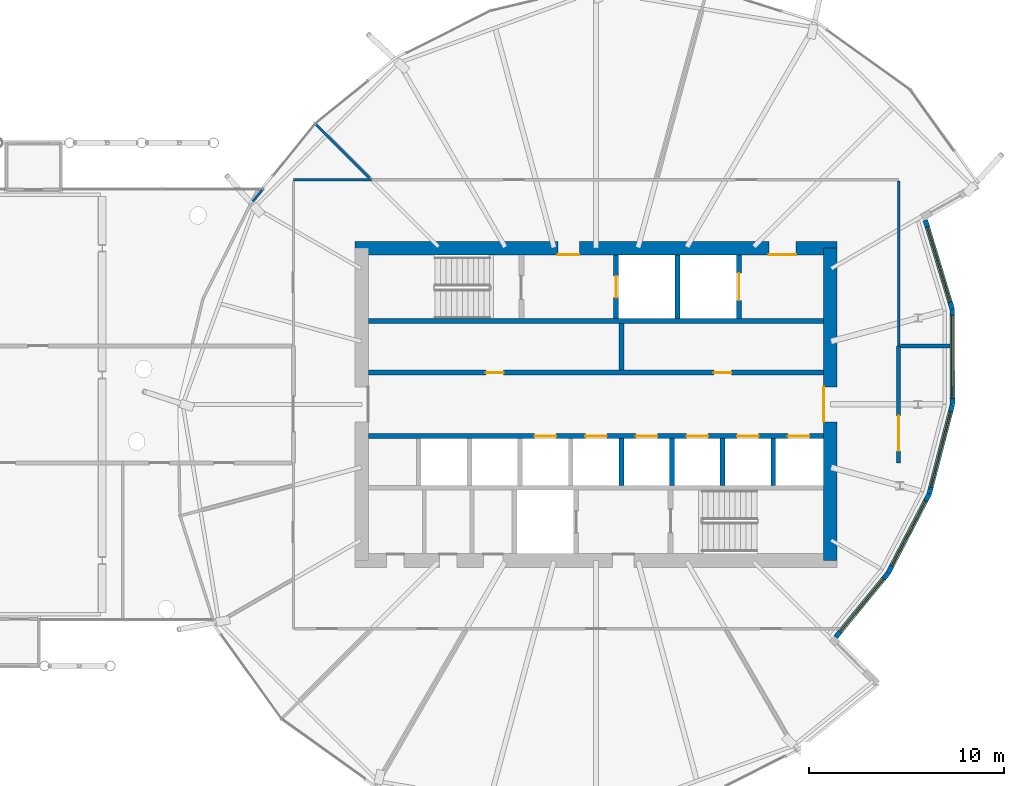
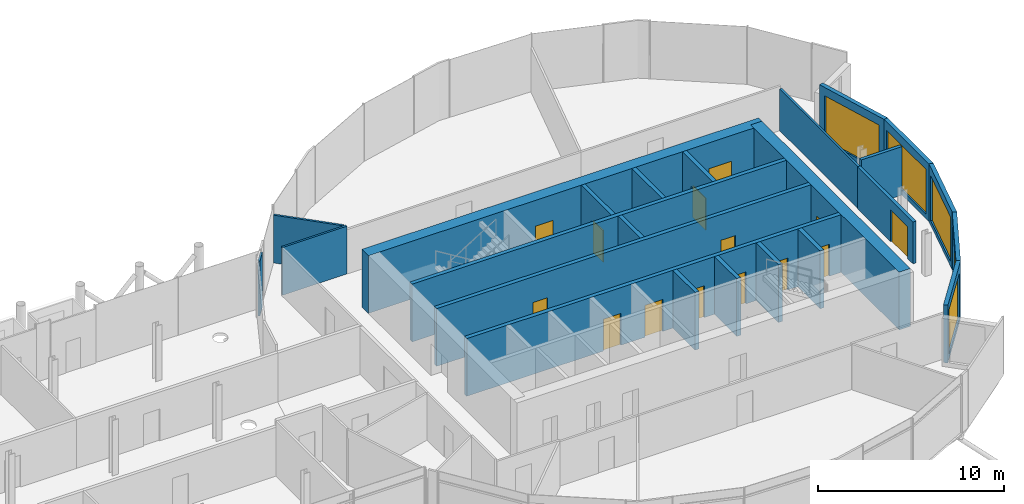
# One storey, part 28 of 40: 24 walls, 14 doors, 5 windows, 19 openings.
"""IFC4 building model written with IfcOpenShell, lengths in metres."""

from ifc_helpers import new_model, si_unit, direction, frame, frame_2d, origin, place, context, subcontext, project, spatial, rectangle, extrude, material, layer, layer_set, type_object, element, fill, save


model = new_model("IFC4")

# Units and contexts
model_context = context("Model", 3, precision=1e-05, world=origin(), true_north=direction((0.0, 1.0)))
body_context = subcontext(model_context, "Body", "Model", "MODEL_VIEW")
ifc_project = project(units=[si_unit("LENGTHUNIT", "METRE"), si_unit("AREAUNIT", "SQUARE_METRE"), si_unit("VOLUMEUNIT", "CUBIC_METRE"), si_unit("PLANEANGLEUNIT", "RADIAN"), si_unit("MASSUNIT", "GRAM", prefix="KILO")], contexts=[model_context])

# Site, building, storey
site_placement = place(None, origin())
site = spatial("IfcSite", under=ifc_project, at=site_placement, CompositionType="ELEMENT")
building_placement = place(site_placement, origin())
building = spatial("IfcBuilding", under=site, at=building_placement, Name="Rimbun Link Towers", CompositionType="ELEMENT")
storey_placement = place(building_placement, frame((0.0, 0.0, 150.60009765625)))
storey = spatial("IfcBuildingStorey", under=building, at=storey_placement, Name="L36", CompositionType="ELEMENT", Elevation=150.60009765625)

# Wall, opening, window
ifc_material_1 = material(Name="Dark enamelled glass spandrel on insulated aluminium backpan", Category="aluminium")
ifc_layer_1 = layer(ifc_material_1, 0.25)
ifc_layer_set_1 = layer_set([ifc_layer_1], Name="CS dark enamelled spandrel wall 250")
wall_type_1 = type_object("IfcWallType", Name="CS dark enamelled spandrel wall 250", PredefinedType="STANDARD", material=ifc_layer_set_1)
wall_1_placement = place(storey_placement, frame((46.711669921875, -8.646728515625, 0.0), z_axis=(0.0, 0.0, 1.0), x_axis=(-0.633071445917, -0.774093369281, 0.0)))
wall_1 = element("IfcWall", 1, at=wall_1_placement, inside=storey, type_object=wall_type_1, Name="Crease spandrel wall", PredefinedType="STANDARD", context=body_context, shape_type="SweptSolid", body=[
    extrude(rectangle(XDim=4.236328125, YDim=0.25, at=frame_2d((2.1181640625, 0.0))), origin(), (0.0, 0.0, 1.0), 3.7998046875),
])
opening_1_placement = place(wall_1_placement, frame((0.3681640625, 0.0, 0.300048828125)))
opening_1 = element("IfcOpeningElement", 2, at=opening_1_placement, cuts=wall_1, Name="Opening WR35H295", PredefinedType="OPENING", context=body_context, shape_type="SweptSolid", body=[
    extrude(rectangle(XDim=3.5, YDim=2.949951171875, at=frame_2d((1.75, 1.47509765625))), frame((0.0, 0.135009765625, 0.0), z_axis=(0.0, -1.0, 0.0), x_axis=(1.0, 0.0, 0.0)), (0.0, 0.0, 1.0), 0.27001953125),
])
ifc_material_2 = material(Name="Aluminium framed fixed window, dark tinted low-e glass", Category="aluminium")
window_type_1 = type_object("IfcWindowType", Name="WR ribbon window 3500X2950", PartitioningType="SINGLE_PANEL", PredefinedType="WINDOW", material=ifc_material_2)
window_1_placement = place(opening_1_placement, origin())
window_1 = element("IfcWindow", 3, at=window_1_placement, inside=storey, type_object=window_type_1, Name="Crease ribbon window", OverallHeight=2.949951171875, OverallWidth=3.5, PartitioningType="SINGLE_PANEL", PredefinedType="WINDOW", context=body_context, shape_type="SweptSolid", body=[
    extrude(rectangle(XDim=3.5, YDim=2.949951171875, at=frame_2d((1.75, 1.47509765625))), frame((0.0, 0.030029296875, 0.0), z_axis=(0.0, -1.0, 0.0), x_axis=(1.0, 0.0, 0.0)), (0.0, 0.0, 1.0), 0.06005859375),
])
fill(opening_1, window_1)

wall_2_placement = place(storey_placement, frame((48.820556640625, -4.587646484375, 0.0), z_axis=(0.0, 0.0, 1.0), x_axis=(-0.46103677095, -0.887381031931, 0.0)))
wall_2 = element("IfcWall", 4, at=wall_2_placement, inside=storey, type_object=wall_type_1, Name="Crease spandrel wall", PredefinedType="STANDARD", context=body_context, shape_type="SweptSolid", body=[
    extrude(rectangle(XDim=4.57421875, YDim=0.25, at=frame_2d((2.287109375, 0.0))), origin(), (0.0, 0.0, 1.0), 3.7998046875),
])
opening_2_placement = place(wall_2_placement, frame((0.412109375, 0.0, 0.300048828125)))
opening_2 = element("IfcOpeningElement", 5, at=opening_2_placement, cuts=wall_2, Name="Opening WR38H295", PredefinedType="OPENING", context=body_context, shape_type="SweptSolid", body=[
    extrude(rectangle(XDim=3.75, YDim=2.949951171875, at=frame_2d((1.875, 1.47509765625))), frame((0.0, 0.135009765625, 0.0), z_axis=(0.0, -1.0, 0.0), x_axis=(1.0, 0.0, 0.0)), (0.0, 0.0, 1.0), 0.27001953125),
])
ifc_material_3 = material(Name="Aluminium framed fixed window, dark tinted low-e glass", Category="aluminium")
window_type_2 = type_object("IfcWindowType", Name="WR ribbon window 3750X2950", PartitioningType="SINGLE_PANEL", PredefinedType="WINDOW", material=ifc_material_3)
window_2_placement = place(opening_2_placement, origin())
window_2 = element("IfcWindow", 6, at=window_2_placement, inside=storey, type_object=window_type_2, Name="Crease ribbon window", OverallHeight=2.949951171875, OverallWidth=3.75, PartitioningType="SINGLE_PANEL", PredefinedType="WINDOW", context=body_context, shape_type="SweptSolid", body=[
    extrude(rectangle(XDim=3.75, YDim=2.949951171875, at=frame_2d((1.875, 1.47509765625))), frame((0.0, 0.030029296875, 0.0), z_axis=(0.0, -1.0, 0.0), x_axis=(1.0, 0.0, 0.0)), (0.0, 0.0, 1.0), 0.06005859375),
])
fill(opening_2, window_2)

wall_3_placement = place(storey_placement, frame((50.00634765625, -0.015869140625, 0.0), z_axis=(0.0, 0.0, 1.0), x_axis=(-0.251064410387, -0.967970382727, 0.0)))
wall_3 = element("IfcWall", 7, at=wall_3_placement, inside=storey, type_object=wall_type_1, Name="Crease spandrel wall", PredefinedType="STANDARD", context=body_context, shape_type="SweptSolid", body=[
    extrude(rectangle(XDim=4.72314453125, YDim=0.25, at=frame_2d((2.361572265625, 0.0))), origin(), (0.0, 0.0, 1.0), 3.7998046875),
])
opening_3_placement = place(wall_3_placement, frame((0.361572265625, 0.0, 0.300048828125)))
opening_3 = element("IfcOpeningElement", 8, at=opening_3_placement, cuts=wall_3, Name="Opening WR40H295", PredefinedType="OPENING", context=body_context, shape_type="SweptSolid", body=[
    extrude(rectangle(XDim=4.0, YDim=2.949951171875, at=frame_2d((2.0, 1.47509765625))), frame((0.0, 0.135009765625, 0.0), z_axis=(0.0, -1.0, 0.0), x_axis=(1.0, 0.0, 0.0)), (0.0, 0.0, 1.0), 0.27001953125),
])
ifc_material_4 = material(Name="Aluminium framed fixed window, dark tinted low-e glass", Category="aluminium")
window_type_3 = type_object("IfcWindowType", Name="WR ribbon window 4000X2950", PartitioningType="SINGLE_PANEL", PredefinedType="WINDOW", material=ifc_material_4)
window_3_placement = place(opening_3_placement, origin())
window_3 = element("IfcWindow", 9, at=window_3_placement, inside=storey, type_object=window_type_3, Name="Crease ribbon window", OverallHeight=2.949951171875, OverallWidth=4.0, PartitioningType="SINGLE_PANEL", PredefinedType="WINDOW", context=body_context, shape_type="SweptSolid", body=[
    extrude(rectangle(XDim=4.0, YDim=2.949951171875, at=frame_2d((2.0, 1.47509765625))), frame((0.0, 0.030029296875, 0.0), z_axis=(0.0, -1.0, 0.0), x_axis=(1.0, 0.0, 0.0)), (0.0, 0.0, 1.0), 0.06005859375),
])
fill(opening_3, window_3)

wall_4_placement = place(storey_placement, frame((49.998291015625, 4.874755859375, 0.0), z_axis=(0.0, 0.0, 1.0), x_axis=(0.001647361982, -0.999998643098, 0.0)))
wall_4 = element("IfcWall", 10, at=wall_4_placement, inside=storey, type_object=wall_type_1, Name="Crease spandrel wall", PredefinedType="STANDARD", context=body_context, shape_type="SweptSolid", body=[
    extrude(rectangle(XDim=4.890625, YDim=0.25, at=frame_2d((2.4453125, 0.0))), origin(), (0.0, 0.0, 1.0), 3.7998046875),
])
opening_4_placement = place(wall_4_placement, frame((0.3203125, 0.0, 0.300048828125)))
opening_4 = element("IfcOpeningElement", 11, at=opening_4_placement, cuts=wall_4, Name="Opening WR42H295", PredefinedType="OPENING", context=body_context, shape_type="SweptSolid", body=[
    extrude(rectangle(XDim=4.25, YDim=2.949951171875, at=frame_2d((2.125, 1.47509765625))), frame((0.0, 0.135009765625, 0.0), z_axis=(0.0, -1.0, 0.0), x_axis=(1.0, 0.0, 0.0)), (0.0, 0.0, 1.0), 0.27001953125),
])
ifc_material_5 = material(Name="Aluminium framed fixed window, dark tinted low-e glass", Category="aluminium")
window_type_4 = type_object("IfcWindowType", Name="WR ribbon window 4250X2950", PartitioningType="SINGLE_PANEL", PredefinedType="WINDOW", material=ifc_material_5)
window_4_placement = place(opening_4_placement, origin())
window_4 = element("IfcWindow", 12, at=window_4_placement, inside=storey, type_object=window_type_4, Name="Crease ribbon window", OverallHeight=2.949951171875, OverallWidth=4.25, PartitioningType="SINGLE_PANEL", PredefinedType="WINDOW", context=body_context, shape_type="SweptSolid", body=[
    extrude(rectangle(XDim=4.25, YDim=2.949951171875, at=frame_2d((2.125, 1.47509765625))), frame((0.0, 0.030029296875, 0.0), z_axis=(0.0, -1.0, 0.0), x_axis=(1.0, 0.0, 0.0)), (0.0, 0.0, 1.0), 0.06005859375),
])
fill(opening_4, window_4)

wall_5_placement = place(storey_placement, frame((48.616943359375, 9.449462890625, 0.0), z_axis=(0.0, 0.0, 1.0), x_axis=(0.289062898136, -0.957310106977, 0.0)))
wall_5 = element("IfcWall", 13, at=wall_5_placement, inside=storey, type_object=wall_type_1, Name="Crease spandrel wall", PredefinedType="STANDARD", context=body_context, shape_type="SweptSolid", body=[
    extrude(rectangle(XDim=4.77880859375, YDim=0.25, at=frame_2d((2.389404296875, 0.0))), origin(), (0.0, 0.0, 1.0), 3.7998046875),
])
opening_5_placement = place(wall_5_placement, frame((0.389404296875, 0.0, 0.300048828125)))
opening_5 = element("IfcOpeningElement", 14, at=opening_5_placement, cuts=wall_5, Name="Opening WR40H295", PredefinedType="OPENING", context=body_context, shape_type="SweptSolid", body=[
    extrude(rectangle(XDim=4.0, YDim=2.949951171875, at=frame_2d((2.0, 1.47509765625))), frame((0.0, 0.135009765625, 0.0), z_axis=(0.0, -1.0, 0.0), x_axis=(1.0, 0.0, 0.0)), (0.0, 0.0, 1.0), 0.27001953125),
])
window_5_placement = place(opening_5_placement, origin())
window_5 = element("IfcWindow", 15, at=window_5_placement, inside=storey, type_object=window_type_3, Name="Crease ribbon window", OverallHeight=2.949951171875, OverallWidth=4.0, PartitioningType="SINGLE_PANEL", PredefinedType="WINDOW", context=body_context, shape_type="SweptSolid", body=[
    extrude(rectangle(XDim=4.0, YDim=2.949951171875, at=frame_2d((2.0, 1.47509765625))), frame((0.0, 0.030029296875, 0.0), z_axis=(0.0, -1.0, 0.0), x_axis=(1.0, 0.0, 0.0)), (0.0, 0.0, 1.0), 0.06005859375),
])
fill(opening_5, window_5)

# Wall, openings, doors
ifc_material_6 = material(Name="Concrete C60/75", Category="concrete")
ifc_layer_2 = layer(ifc_material_6, 0.699951171875)
ifc_layer_set_2 = layer_set([ifc_layer_2], Name="Core shear wall 700")
wall_type_2 = type_object("IfcWallType", Name="Core shear wall 700", PredefinedType="SHEAR", material=ifc_layer_set_2)
wall_6_placement = place(storey_placement, frame((19.39990234375, 8.0, 0.0), z_axis=(0.0, 0.0, 1.0), x_axis=(1.0, 0.0, 0.0)))
wall_6 = element("IfcWall", 16, at=wall_6_placement, inside=storey, type_object=wall_type_2, Name="L36 T2 core wall N", PredefinedType="SHEAR", context=body_context, shape_type="SweptSolid", body=[
    extrude(rectangle(XDim=24.7001953125, YDim=0.699951171875, at=frame_2d((12.35009765625, 0.0))), origin(), (0.0, 0.0, 1.0), 3.7998046875),
])
opening_6_placement = place(wall_6_placement, frame((10.39990234375, 0.0, 0.0)))
opening_6 = element("IfcOpeningElement", 17, at=opening_6_placement, cuts=wall_6, Name="Opening C2DCF01N", PredefinedType="OPENING", context=body_context, shape_type="SweptSolid", body=[
    extrude(rectangle(XDim=1.10009765625, YDim=2.10009765625, at=frame_2d((0.550048828125, 1.050048828125))), frame((0.0, 0.35986328125, 0.0), z_axis=(0.0, -1.0, 0.0), x_axis=(1.0, 0.0, 0.0)), (0.0, 0.0, 1.0), 0.719970703125),
])
opening_7_placement = place(wall_6_placement, frame((21.199951171875, 0.0, 0.0)))
opening_7 = element("IfcOpeningElement", 18, at=opening_7_placement, cuts=wall_6, Name="Opening C2DSL02N", PredefinedType="OPENING", context=body_context, shape_type="SweptSolid", body=[
    extrude(rectangle(XDim=1.39990234375, YDim=2.10009765625, at=frame_2d((0.699951171875, 1.050048828125))), frame((0.0, 0.35986328125, 0.0), z_axis=(0.0, -1.0, 0.0), x_axis=(1.0, 0.0, 0.0)), (0.0, 0.0, 1.0), 0.719970703125),
])
ifc_material_7 = material(Name="Steel fire door set", Category="steel")
door_type_1 = type_object("IfcDoorType", Name="Core fire door single", OperationType="SINGLE_SWING_LEFT", PredefinedType="DOOR", material=ifc_material_7)
door_1_placement = place(opening_6_placement, origin())
door_1 = element("IfcDoor", 19, at=door_1_placement, inside=storey, type_object=door_type_1, Name="L36 T2 firefighting lobby n door", OperationType="SINGLE_SWING_LEFT", OverallHeight=2.10009765625, OverallWidth=1.10009765625, PredefinedType="DOOR", context=body_context, shape_type="SweptSolid", body=[
    extrude(rectangle(XDim=1.10009765625, YDim=2.10009765625, at=frame_2d((0.550048828125, 1.050048828125))), frame((0.0, -0.2998046875, 0.0), z_axis=(0.0, -1.0, 0.0), x_axis=(1.0, 0.0, 0.0)), (0.0, 0.0, 1.0), 0.050048828125),
])
fill(opening_6, door_1)
ifc_material_8 = material(Name="Steel fire door set", Category="steel")
door_type_2 = type_object("IfcDoorType", Name="Service lobby door double", OperationType="DOUBLE_DOOR_SINGLE_SWING", PredefinedType="DOOR", material=ifc_material_8)
door_2_placement = place(opening_7_placement, origin())
door_2 = element("IfcDoor", 20, at=door_2_placement, inside=storey, type_object=door_type_2, Name="L36 T2 service lobby door", OperationType="DOUBLE_DOOR_SINGLE_SWING", OverallHeight=2.10009765625, OverallWidth=1.39990234375, PredefinedType="DOOR", context=body_context, shape_type="SweptSolid", body=[
    extrude(rectangle(XDim=1.39990234375, YDim=2.10009765625, at=frame_2d((0.699951171875, 1.050048828125))), frame((0.0, -0.2998046875, 0.0), z_axis=(0.0, -1.0, 0.0), x_axis=(1.0, 0.0, 0.0)), (0.0, 0.0, 1.0), 0.050048828125),
])
fill(opening_7, door_2)

# Wall, opening, door
wall_7_placement = place(storey_placement, frame((43.75, -8.0, 0.0), z_axis=(0.0, 0.0, 1.0), x_axis=(0.0, 1.0, 0.0)))
wall_7 = element("IfcWall", 21, at=wall_7_placement, inside=storey, type_object=wall_type_2, Name="L36 T2 core wall E", PredefinedType="SHEAR", context=body_context, shape_type="SweptSolid", body=[
    extrude(rectangle(XDim=16.0, YDim=0.699951171875, at=frame_2d((8.0, 0.0))), origin(), (0.0, 0.0, 1.0), 3.7998046875),
])
opening_8_placement = place(wall_7_placement, frame((7.10009765625, 0.0, 0.0)))
opening_8 = element("IfcOpeningElement", 22, at=opening_8_placement, cuts=wall_7, Name="Opening C2DCL01E", PredefinedType="OPENING", context=body_context, shape_type="SweptSolid", body=[
    extrude(rectangle(XDim=1.800048828125, YDim=2.10009765625, at=frame_2d((0.89990234375, 1.050048828125))), frame((0.0, 0.35986328125, 0.0), z_axis=(0.0, -1.0, 0.0), x_axis=(1.0, 0.0, 0.0)), (0.0, 0.0, 1.0), 0.719970703125),
])
ifc_material_9 = material(Name="Steel fire door set", Category="steel")
door_type_3 = type_object("IfcDoorType", Name="Core lobby door double", OperationType="DOUBLE_DOOR_SINGLE_SWING", PredefinedType="DOOR", material=ifc_material_9)
door_3_placement = place(opening_8_placement, origin())
door_3 = element("IfcDoor", 23, at=door_3_placement, inside=storey, type_object=door_type_3, Name="L36 T2 lift lobby door", OperationType="DOUBLE_DOOR_SINGLE_SWING", OverallHeight=2.10009765625, OverallWidth=1.800048828125, PredefinedType="DOOR", context=body_context, shape_type="SweptSolid", body=[
    extrude(rectangle(XDim=1.800048828125, YDim=2.10009765625, at=frame_2d((0.89990234375, 1.050048828125))), frame((0.0, 0.35009765625, 0.0), z_axis=(0.0, -1.0, 0.0), x_axis=(1.0, 0.0, 0.0)), (0.0, 0.0, 1.0), 0.050048828125),
])
fill(opening_8, door_3)

ifc_material_10 = material(Name="Concrete blockwork", Category="masonry")
ifc_layer_3 = layer(ifc_material_10, 0.199951171875)
ifc_layer_set_3 = layer_set([ifc_layer_3], Name="Fire partition 200 blockwork")
wall_type_3 = type_object("IfcWallType", Name="Fire partition 200 blockwork", PredefinedType="PARTITIONING", material=ifc_layer_set_3)
wall_8_placement = place(storey_placement, frame((47.25, -3.0, 0.0), z_axis=(0.0, 0.0, 1.0), x_axis=(0.0, 1.0, 0.0)))
wall_8 = element("IfcWall", 24, at=wall_8_placement, inside=storey, type_object=wall_type_3, Name="TW/PW/L36/036", PredefinedType="PARTITIONING", context=body_context, shape_type="SweptSolid", body=[
    extrude(rectangle(XDim=6.0, YDim=0.199951171875, at=frame_2d((3.0, 0.0))), origin(), (0.0, 0.0, 1.0), 2.7587890625),
])
opening_9_placement = place(wall_8_placement, frame((0.614990234375, 0.0, 0.0)))
opening_9 = element("IfcOpeningElement", 25, at=opening_9_placement, cuts=wall_8, Name="Opening TW D36.26", PredefinedType="OPENING", context=body_context, shape_type="SweptSolid", body=[
    extrude(rectangle(XDim=1.800048828125, YDim=2.10009765625, at=frame_2d((0.89990234375, 1.050048828125))), frame((0.0, 0.10986328125, 0.0), z_axis=(0.0, -1.0, 0.0), x_axis=(1.0, 0.0, 0.0)), (0.0, 0.0, 1.0), 0.219970703125),
])
ifc_material_11 = material(Name="Steel fire door set", Category="steel")
door_type_4 = type_object("IfcDoorType", Name="Fire door double leaf 1800 x 2100", OperationType="NOTDEFINED", PredefinedType="DOOR", material=ifc_material_11)
door_4_placement = place(opening_9_placement, origin())
door_4 = element("IfcDoor", 26, at=door_4_placement, inside=storey, type_object=door_type_4, Name="TW/DR/L36/026", OperationType="DOUBLE_DOOR_SINGLE_SWING", OverallHeight=2.10009765625, OverallWidth=1.800048828125, PredefinedType="DOOR", context=body_context, shape_type="SweptSolid", body=[
    extrude(rectangle(XDim=1.800048828125, YDim=2.10009765625, at=frame_2d((0.89990234375, 1.050048828125))), frame((0.0, 0.02490234375, 0.0), z_axis=(0.0, -1.0, 0.0), x_axis=(1.0, 0.0, 0.0)), (0.0, 0.0, 1.0), 0.050048828125),
])
fill(opening_9, door_4)

# Walls
wall_9_placement = place(storey_placement, frame((49.87646484375, 3.0, 0.0), z_axis=(0.0, 0.0, 1.0), x_axis=(-1.0, 0.0, 0.0)))
element("IfcWall", 27, at=wall_9_placement, inside=storey, type_object=wall_type_3, Name="TW/PW/L36/050", PredefinedType="PARTITIONING", context=body_context, shape_type="SweptSolid", body=[
    extrude(rectangle(XDim=2.5263671875, YDim=0.199951171875, at=frame_2d((1.26318359375, 0.0))), origin(), (0.0, 0.0, 1.0), 3.19384765625),
])
ifc_material_12 = material(Name="Gypsum board on steel studs", Category="steel")
ifc_layer_4 = layer(ifc_material_12, 0.125)
ifc_layer_set_4 = layer_set([ifc_layer_4], Name="Partition 125 board on studs")
wall_type_4 = type_object("IfcWallType", Name="Partition 125 board on studs", PredefinedType="PARTITIONING", material=ifc_layer_set_4)
wall_10_placement = place(storey_placement, frame((47.25, 3.0, 0.0), z_axis=(0.0, 0.0, 1.0), x_axis=(0.0, 1.0, 0.0)))
element("IfcWall", 28, at=wall_10_placement, inside=storey, type_object=wall_type_4, Name="TW/PW/L36/045", PredefinedType="PARTITIONING", context=body_context, shape_type="SweptSolid", body=[
    extrude(rectangle(XDim=8.4375, YDim=0.125, at=frame_2d((4.21875, 0.0))), origin(), (0.0, 0.0, 1.0), 2.7587890625),
])
wall_11_placement = place(storey_placement, frame((20.25, 11.5, 0.0), z_axis=(0.0, 0.0, 1.0), x_axis=(-1.0, 0.0, 0.0)))
element("IfcWall", 29, at=wall_11_placement, inside=storey, type_object=wall_type_4, Name="TW/PW/L36/048", PredefinedType="PARTITIONING", context=body_context, shape_type="SweptSolid", body=[
    extrude(rectangle(XDim=4.0, YDim=0.125, at=frame_2d((2.0, 0.0))), origin(), (0.0, 0.0, 1.0), 3.14697265625),
])
wall_12_placement = place(storey_placement, frame((17.384765625, 14.365234375, 0.0), z_axis=(0.0, 0.0, 1.0), x_axis=(0.707106781187, -0.707106781187, 0.0)))
element("IfcWall", 30, at=wall_12_placement, inside=storey, type_object=wall_type_4, Name="TW/PW/L36/060", PredefinedType="PARTITIONING", context=body_context, shape_type="SweptSolid", body=[
    extrude(rectangle(XDim=3.901123046875, YDim=0.125, at=frame_2d((1.95068359375, 0.0))), origin(), (0.0, 0.0, 1.0), 3.14697265625),
])
wall_13_placement = place(storey_placement, frame((14.7109375, 11.062255859375, 0.0), z_axis=(0.0, 0.0, 1.0), x_axis=(-0.629018324311, -0.777390473109, 0.0)))
element("IfcWall", 31, at=wall_13_placement, inside=storey, type_object=wall_type_4, Name="TW/PW/L36/062", PredefinedType="PARTITIONING", context=body_context, shape_type="SweptSolid", body=[
    extrude(rectangle(XDim=0.85888671875, YDim=0.125, at=frame_2d((0.429443359375, 0.0))), origin(), (0.0, 0.0, 1.0), 3.619873046875),
])
ifc_material_13 = material(Name="Concrete C60/75", Category="concrete")
ifc_layer_5 = layer(ifc_material_13, 0.25)
ifc_layer_set_5 = layer_set([ifc_layer_5], Name="Shaft wall 250")
wall_type_5 = type_object("IfcWallType", Name="Shaft wall 250", PredefinedType="SHEAR", material=ifc_layer_set_5)
wall_14_placement = place(storey_placement, frame((20.10009765625, 4.27490234375, 0.0), z_axis=(0.0, 0.0, 1.0), x_axis=(1.0, 0.0, 0.0)))
element("IfcWall", 32, at=wall_14_placement, inside=storey, type_object=wall_type_5, Name="L36 T2 core wall BN", PredefinedType="SHEAR", context=body_context, shape_type="SweptSolid", body=[
    extrude(rectangle(XDim=23.2998046875, YDim=0.25, at=frame_2d((11.64990234375, 0.0))), origin(), (0.0, 0.0, 1.0), 3.7998046875),
])

# Wall, openings, doors
wall_15_placement = place(storey_placement, frame((20.10009765625, 1.625, 0.0), z_axis=(0.0, 0.0, 1.0), x_axis=(1.0, 0.0, 0.0)))
wall_15 = element("IfcWall", 33, at=wall_15_placement, inside=storey, type_object=wall_type_5, Name="L36 T2 core wall FN", PredefinedType="SHEAR", context=body_context, shape_type="SweptSolid", body=[
    extrude(rectangle(XDim=23.2998046875, YDim=0.25, at=frame_2d((11.64990234375, 0.0))), origin(), (0.0, 0.0, 1.0), 3.7998046875),
])
opening_10_placement = place(wall_15_placement, frame((6.010986328125, 0.0, 0.0)))
opening_10 = element("IfcOpeningElement", 34, at=opening_10_placement, cuts=wall_15, Name="Opening C2DRS01FN", PredefinedType="OPENING", context=body_context, shape_type="SweptSolid", body=[
    extrude(rectangle(XDim=0.89990234375, YDim=2.10009765625, at=frame_2d((0.449951171875, 1.050048828125))), frame((0.0, 0.135009765625, 0.0), z_axis=(0.0, -1.0, 0.0), x_axis=(1.0, 0.0, 0.0)), (0.0, 0.0, 1.0), 0.27001953125),
])
opening_11_placement = place(wall_15_placement, frame((17.68603515625, 0.0, 0.0)))
opening_11 = element("IfcOpeningElement", 35, at=opening_11_placement, cuts=wall_15, Name="Opening C2DRS02FN", PredefinedType="OPENING", context=body_context, shape_type="SweptSolid", body=[
    extrude(rectangle(XDim=0.89990234375, YDim=2.10009765625, at=frame_2d((0.449951171875, 1.050048828125))), frame((0.0, 0.135009765625, 0.0), z_axis=(0.0, -1.0, 0.0), x_axis=(1.0, 0.0, 0.0)), (0.0, 0.0, 1.0), 0.27001953125),
])
ifc_material_14 = material(Name="Steel fire door set", Category="steel")
door_type_5 = type_object("IfcDoorType", Name="Core riser door", OperationType="SINGLE_SWING_LEFT", PredefinedType="DOOR", material=ifc_material_14)
door_5_placement = place(opening_10_placement, origin())
door_5 = element("IfcDoor", 36, at=door_5_placement, inside=storey, type_object=door_type_5, Name="L36 T2 data room door", OperationType="SINGLE_SWING_LEFT", OverallHeight=2.10009765625, OverallWidth=0.89990234375, PredefinedType="DOOR", context=body_context, shape_type="SweptSolid", body=[
    extrude(rectangle(XDim=0.89990234375, YDim=2.10009765625, at=frame_2d((0.449951171875, 1.050048828125))), frame((0.0, 0.02490234375, 0.0), z_axis=(0.0, -1.0, 0.0), x_axis=(1.0, 0.0, 0.0)), (0.0, 0.0, 1.0), 0.050048828125),
])
fill(opening_10, door_5)
door_6_placement = place(opening_11_placement, origin())
door_6 = element("IfcDoor", 37, at=door_6_placement, inside=storey, type_object=door_type_5, Name="L36 T2 meeting room door", OperationType="SINGLE_SWING_LEFT", OverallHeight=2.10009765625, OverallWidth=0.89990234375, PredefinedType="DOOR", context=body_context, shape_type="SweptSolid", body=[
    extrude(rectangle(XDim=0.89990234375, YDim=2.10009765625, at=frame_2d((0.449951171875, 1.050048828125))), frame((0.0, 0.02490234375, 0.0), z_axis=(0.0, -1.0, 0.0), x_axis=(1.0, 0.0, 0.0)), (0.0, 0.0, 1.0), 0.050048828125),
])
fill(opening_11, door_6)

wall_16_placement = place(storey_placement, frame((20.10009765625, -1.625, 0.0), z_axis=(0.0, 0.0, 1.0), x_axis=(1.0, 0.0, 0.0)))
wall_16 = element("IfcWall", 38, at=wall_16_placement, inside=storey, type_object=wall_type_5, Name="L36 T2 core wall FS", PredefinedType="SHEAR", context=body_context, shape_type="SweptSolid", body=[
    extrude(rectangle(XDim=23.2998046875, YDim=0.25, at=frame_2d((11.64990234375, 0.0))), origin(), (0.0, 0.0, 1.0), 3.7998046875),
])
opening_12_placement = place(wall_16_placement, frame((8.505615234375, 0.0, 0.0)))
opening_12 = element("IfcOpeningElement", 39, at=opening_12_placement, cuts=wall_16, Name="Opening LD-T2-HR1", PredefinedType="OPENING", context=body_context, shape_type="SweptSolid", body=[
    extrude(rectangle(XDim=1.10009765625, YDim=2.10009765625, at=frame_2d((0.550048828125, 1.050048828125))), frame((0.0, 0.135009765625, 0.0), z_axis=(0.0, -1.0, 0.0), x_axis=(1.0, 0.0, 0.0)), (0.0, 0.0, 1.0), 0.27001953125),
])
opening_13_placement = place(wall_16_placement, frame((11.10009765625, 0.0, 0.0)))
opening_13 = element("IfcOpeningElement", 40, at=opening_13_placement, cuts=wall_16, Name="Opening LD-T2-HR2", PredefinedType="OPENING", context=body_context, shape_type="SweptSolid", body=[
    extrude(rectangle(XDim=1.10009765625, YDim=2.10009765625, at=frame_2d((0.550048828125, 1.050048828125))), frame((0.0, 0.135009765625, 0.0), z_axis=(0.0, -1.0, 0.0), x_axis=(1.0, 0.0, 0.0)), (0.0, 0.0, 1.0), 0.27001953125),
])
opening_14_placement = place(wall_16_placement, frame((13.6943359375, 0.0, 0.0)))
opening_14 = element("IfcOpeningElement", 41, at=opening_14_placement, cuts=wall_16, Name="Opening LD-T2-HR3", PredefinedType="OPENING", context=body_context, shape_type="SweptSolid", body=[
    extrude(rectangle(XDim=1.10009765625, YDim=2.10009765625, at=frame_2d((0.550048828125, 1.050048828125))), frame((0.0, 0.135009765625, 0.0), z_axis=(0.0, -1.0, 0.0), x_axis=(1.0, 0.0, 0.0)), (0.0, 0.0, 1.0), 0.27001953125),
])
opening_15_placement = place(wall_16_placement, frame((16.288818359375, 0.0, 0.0)))
opening_15 = element("IfcOpeningElement", 42, at=opening_15_placement, cuts=wall_16, Name="Opening LD-T2-HR4", PredefinedType="OPENING", context=body_context, shape_type="SweptSolid", body=[
    extrude(rectangle(XDim=1.10009765625, YDim=2.10009765625, at=frame_2d((0.550048828125, 1.050048828125))), frame((0.0, 0.135009765625, 0.0), z_axis=(0.0, -1.0, 0.0), x_axis=(1.0, 0.0, 0.0)), (0.0, 0.0, 1.0), 0.27001953125),
])
opening_16_placement = place(wall_16_placement, frame((18.88330078125, 0.0, 0.0)))
opening_16 = element("IfcOpeningElement", 43, at=opening_16_placement, cuts=wall_16, Name="Opening LD-T2-HR5", PredefinedType="OPENING", context=body_context, shape_type="SweptSolid", body=[
    extrude(rectangle(XDim=1.10009765625, YDim=2.10009765625, at=frame_2d((0.550048828125, 1.050048828125))), frame((0.0, 0.135009765625, 0.0), z_axis=(0.0, -1.0, 0.0), x_axis=(1.0, 0.0, 0.0)), (0.0, 0.0, 1.0), 0.27001953125),
])
opening_17_placement = place(wall_16_placement, frame((21.477783203125, 0.0, 0.0)))
opening_17 = element("IfcOpeningElement", 44, at=opening_17_placement, cuts=wall_16, Name="Opening LD-T2-HR6", PredefinedType="OPENING", context=body_context, shape_type="SweptSolid", body=[
    extrude(rectangle(XDim=1.10009765625, YDim=2.10009765625, at=frame_2d((0.550048828125, 1.050048828125))), frame((0.0, 0.135009765625, 0.0), z_axis=(0.0, -1.0, 0.0), x_axis=(1.0, 0.0, 0.0)), (0.0, 0.0, 1.0), 0.27001953125),
])
ifc_material_15 = material(Name="Stainless steel grade 316", Category="steel")
door_type_6 = type_object("IfcDoorType", Name="Lift landing door", OperationType="DOUBLE_DOOR_SLIDING", PredefinedType="DOOR", material=ifc_material_15)
door_7_placement = place(opening_12_placement, origin())
door_7 = element("IfcDoor", 45, at=door_7_placement, inside=storey, type_object=door_type_6, Name="L36 T2 lift HR1 landing door", OperationType="DOUBLE_DOOR_SLIDING", OverallHeight=2.10009765625, OverallWidth=1.10009765625, PredefinedType="DOOR", context=body_context, shape_type="SweptSolid", body=[
    extrude(rectangle(XDim=1.10009765625, YDim=2.10009765625, at=frame_2d((0.550048828125, 1.050048828125))), frame((0.0, 0.02490234375, 0.0), z_axis=(0.0, -1.0, 0.0), x_axis=(1.0, 0.0, 0.0)), (0.0, 0.0, 1.0), 0.050048828125),
])
fill(opening_12, door_7)
door_8_placement = place(opening_13_placement, origin())
door_8 = element("IfcDoor", 46, at=door_8_placement, inside=storey, type_object=door_type_6, Name="L36 T2 lift HR2 landing door", OperationType="DOUBLE_DOOR_SLIDING", OverallHeight=2.10009765625, OverallWidth=1.10009765625, PredefinedType="DOOR", context=body_context, shape_type="SweptSolid", body=[
    extrude(rectangle(XDim=1.10009765625, YDim=2.10009765625, at=frame_2d((0.550048828125, 1.050048828125))), frame((0.0, 0.02490234375, 0.0), z_axis=(0.0, -1.0, 0.0), x_axis=(1.0, 0.0, 0.0)), (0.0, 0.0, 1.0), 0.050048828125),
])
fill(opening_13, door_8)
door_9_placement = place(opening_14_placement, origin())
door_9 = element("IfcDoor", 47, at=door_9_placement, inside=storey, type_object=door_type_6, Name="L36 T2 lift HR3 landing door", OperationType="DOUBLE_DOOR_SLIDING", OverallHeight=2.10009765625, OverallWidth=1.10009765625, PredefinedType="DOOR", context=body_context, shape_type="SweptSolid", body=[
    extrude(rectangle(XDim=1.10009765625, YDim=2.10009765625, at=frame_2d((0.550048828125, 1.050048828125))), frame((0.0, 0.02490234375, 0.0), z_axis=(0.0, -1.0, 0.0), x_axis=(1.0, 0.0, 0.0)), (0.0, 0.0, 1.0), 0.050048828125),
])
fill(opening_14, door_9)
door_10_placement = place(opening_15_placement, origin())
door_10 = element("IfcDoor", 48, at=door_10_placement, inside=storey, type_object=door_type_6, Name="L36 T2 lift HR4 landing door", OperationType="DOUBLE_DOOR_SLIDING", OverallHeight=2.10009765625, OverallWidth=1.10009765625, PredefinedType="DOOR", context=body_context, shape_type="SweptSolid", body=[
    extrude(rectangle(XDim=1.10009765625, YDim=2.10009765625, at=frame_2d((0.550048828125, 1.050048828125))), frame((0.0, 0.02490234375, 0.0), z_axis=(0.0, -1.0, 0.0), x_axis=(1.0, 0.0, 0.0)), (0.0, 0.0, 1.0), 0.050048828125),
])
fill(opening_15, door_10)
door_11_placement = place(opening_16_placement, origin())
door_11 = element("IfcDoor", 49, at=door_11_placement, inside=storey, type_object=door_type_6, Name="L36 T2 lift HR5 landing door", OperationType="DOUBLE_DOOR_SLIDING", OverallHeight=2.10009765625, OverallWidth=1.10009765625, PredefinedType="DOOR", context=body_context, shape_type="SweptSolid", body=[
    extrude(rectangle(XDim=1.10009765625, YDim=2.10009765625, at=frame_2d((0.550048828125, 1.050048828125))), frame((0.0, 0.02490234375, 0.0), z_axis=(0.0, -1.0, 0.0), x_axis=(1.0, 0.0, 0.0)), (0.0, 0.0, 1.0), 0.050048828125),
])
fill(opening_16, door_11)
door_12_placement = place(opening_17_placement, origin())
door_12 = element("IfcDoor", 50, at=door_12_placement, inside=storey, type_object=door_type_6, Name="L36 T2 lift HR6 landing door", OperationType="DOUBLE_DOOR_SLIDING", OverallHeight=2.10009765625, OverallWidth=1.10009765625, PredefinedType="DOOR", context=body_context, shape_type="SweptSolid", body=[
    extrude(rectangle(XDim=1.10009765625, YDim=2.10009765625, at=frame_2d((0.550048828125, 1.050048828125))), frame((0.0, 0.02490234375, 0.0), z_axis=(0.0, -1.0, 0.0), x_axis=(1.0, 0.0, 0.0)), (0.0, 0.0, 1.0), 0.050048828125),
])
fill(opening_17, door_12)

# Walls
for number, where, z_axis, x_axis, name in (
    (51, (33.047119140625, 1.75, 0.0), (0.0, 0.0, 1.0), (0.0, 1.0, 0.0), "L36 T2 core wall DN4"),
    (52, (33.047119140625, -4.14990234375, 0.0), (0.0, 0.0, 1.0), (0.0, 1.0, 0.0), "L36 T2 core wall DS4"),
    (53, (35.6416015625, -4.14990234375, 0.0), (0.0, 0.0, 1.0), (0.0, 1.0, 0.0), "L36 T2 core wall DS5"),
    (54, (38.236083984375, -4.14990234375, 0.0), (0.0, 0.0, 1.0), (0.0, 1.0, 0.0), "L36 T2 core wall DS6"),
    (55, (40.83056640625, -4.14990234375, 0.0), (0.0, 0.0, 1.0), (0.0, 1.0, 0.0), "L36 T2 core wall DS7"),
):
    element("IfcWall", number, at=place(storey_placement, frame(where, z_axis=z_axis, x_axis=x_axis)), inside=storey, type_object=wall_type_5, Name=name, PredefinedType="SHEAR", context=body_context, shape_type="SweptSolid", body=[
        extrude(rectangle(XDim=2.39990234375, YDim=0.25, at=frame_2d((1.199951171875, 0.0))), origin(), (0.0, 0.0, 1.0), 3.7998046875),
    ])

# Wall, opening, door
wall_17_placement = place(storey_placement, frame((32.77490234375, 4.39990234375, 0.0), z_axis=(0.0, 0.0, 1.0), x_axis=(0.0, 1.0, 0.0)))
wall_17 = element("IfcWall", 56, at=wall_17_placement, inside=storey, type_object=wall_type_5, Name="L36 T2 core wall A2", PredefinedType="SHEAR", context=body_context, shape_type="SweptSolid", body=[
    extrude(rectangle(XDim=3.25, YDim=0.25, at=frame_2d((1.625, 0.0))), origin(), (0.0, 0.0, 1.0), 3.7998046875),
])
opening_18_placement = place(wall_17_placement, frame((1.074951171875, 0.0, 0.0)))
opening_18 = element("IfcOpeningElement", 57, at=opening_18_placement, cuts=wall_17, Name="Opening LD-T2-FF1", PredefinedType="OPENING", context=body_context, shape_type="SweptSolid", body=[
    extrude(rectangle(XDim=1.10009765625, YDim=2.10009765625, at=frame_2d((0.550048828125, 1.050048828125))), frame((0.0, 0.135009765625, 0.0), z_axis=(0.0, -1.0, 0.0), x_axis=(1.0, 0.0, 0.0)), (0.0, 0.0, 1.0), 0.27001953125),
])
door_13_placement = place(opening_18_placement, origin())
door_13 = element("IfcDoor", 58, at=door_13_placement, inside=storey, type_object=door_type_6, Name="L36 T2 lift FF1 landing door", OperationType="DOUBLE_DOOR_SLIDING", OverallHeight=2.10009765625, OverallWidth=1.10009765625, PredefinedType="DOOR", context=body_context, shape_type="SweptSolid", body=[
    extrude(rectangle(XDim=1.10009765625, YDim=2.10009765625, at=frame_2d((0.550048828125, 1.050048828125))), frame((0.0, 0.02490234375, 0.0), z_axis=(0.0, -1.0, 0.0), x_axis=(1.0, 0.0, 0.0)), (0.0, 0.0, 1.0), 0.050048828125),
])
fill(opening_18, door_13)

# Wall
wall_18_placement = place(storey_placement, frame((35.925048828125, 4.39990234375, 0.0), z_axis=(0.0, 0.0, 1.0), x_axis=(0.0, 1.0, 0.0)))
element("IfcWall", 59, at=wall_18_placement, inside=storey, type_object=wall_type_5, Name="L36 T2 core wall A3", PredefinedType="SHEAR", context=body_context, shape_type="SweptSolid", body=[
    extrude(rectangle(XDim=3.25, YDim=0.25, at=frame_2d((1.625, 0.0))), origin(), (0.0, 0.0, 1.0), 3.7998046875),
])

# Wall, opening, door
wall_19_placement = place(storey_placement, frame((39.074951171875, 4.39990234375, 0.0), z_axis=(0.0, 0.0, 1.0), x_axis=(0.0, 1.0, 0.0)))
wall_19 = element("IfcWall", 60, at=wall_19_placement, inside=storey, type_object=wall_type_5, Name="L36 T2 core wall A4", PredefinedType="SHEAR", context=body_context, shape_type="SweptSolid", body=[
    extrude(rectangle(XDim=3.25, YDim=0.25, at=frame_2d((1.625, 0.0))), origin(), (0.0, 0.0, 1.0), 3.7998046875),
])
opening_19_placement = place(wall_19_placement, frame((0.925048828125, 0.0, 0.0)))
opening_19 = element("IfcOpeningElement", 61, at=opening_19_placement, cuts=wall_19, Name="Opening LD-T2-GL1", PredefinedType="OPENING", context=body_context, shape_type="SweptSolid", body=[
    extrude(rectangle(XDim=1.39990234375, YDim=2.10009765625, at=frame_2d((0.699951171875, 1.050048828125))), frame((0.0, 0.135009765625, 0.0), z_axis=(0.0, -1.0, 0.0), x_axis=(1.0, 0.0, 0.0)), (0.0, 0.0, 1.0), 0.27001953125),
])
ifc_material_16 = material(Name="Stainless steel grade 316", Category="steel")
door_type_7 = type_object("IfcDoorType", Name="Goods lift landing door", OperationType="DOUBLE_DOOR_SLIDING", PredefinedType="DOOR", material=ifc_material_16)
door_14_placement = place(opening_19_placement, origin())
door_14 = element("IfcDoor", 62, at=door_14_placement, inside=storey, type_object=door_type_7, Name="L36 T2 lift GL1 landing door", OperationType="DOUBLE_DOOR_SLIDING", OverallHeight=2.10009765625, OverallWidth=1.39990234375, PredefinedType="DOOR", context=body_context, shape_type="SweptSolid", body=[
    extrude(rectangle(XDim=1.39990234375, YDim=2.10009765625, at=frame_2d((0.699951171875, 1.050048828125))), frame((0.0, 0.02490234375, 0.0), z_axis=(0.0, -1.0, 0.0), x_axis=(1.0, 0.0, 0.0)), (0.0, 0.0, 1.0), 0.050048828125),
])
fill(opening_19, door_14)

save(model, "model.ifc")
